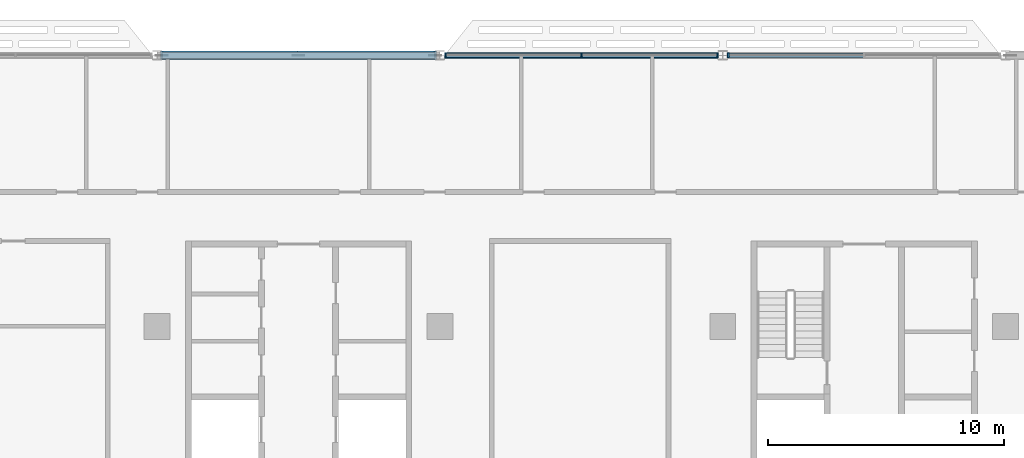
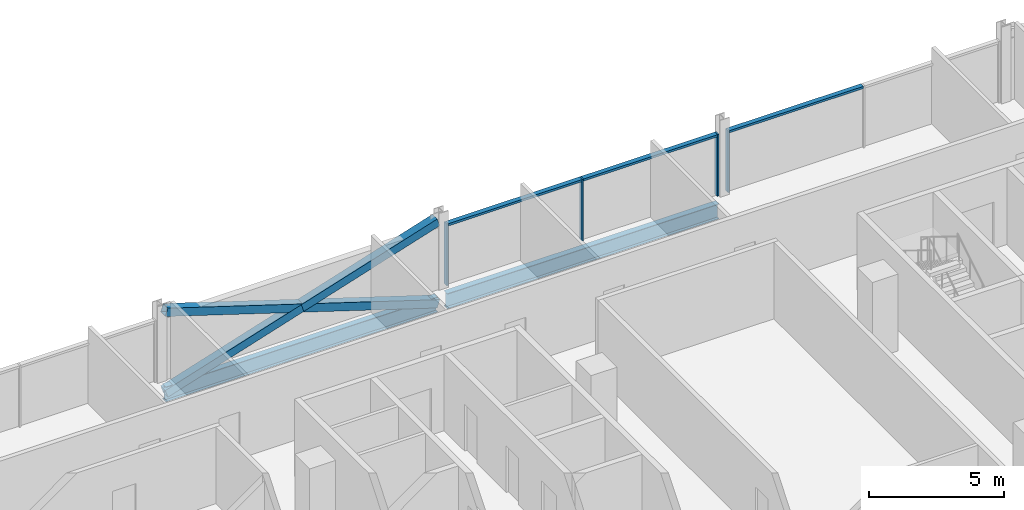
# One storey, part 8 of 30: 10 members, 2 beams, 2 elements without a shape of their own.
"""IFC4 building model written with IfcOpenShell, lengths in metres."""

from ifc_helpers import new_model, si_unit, direction, frame, origin, origin_2d, place, context, subcontext, project, spatial, rectangle, hollow_rectangle, i_section, extrude, material, material_profile, profile_set, type_object, element, aggregate, save


model = new_model("IFC4")

# Units and contexts
model_context = context("Model", 3, precision=1e-05, world=origin(), true_north=direction((0.0, 1.0)))
body_context = subcontext(model_context, "Body", "Model", "MODEL_VIEW")
ifc_project = project(units=[si_unit("LENGTHUNIT", "METRE"), si_unit("AREAUNIT", "SQUARE_METRE"), si_unit("VOLUMEUNIT", "CUBIC_METRE"), si_unit("PLANEANGLEUNIT", "RADIAN"), si_unit("MASSUNIT", "GRAM", prefix="KILO")], contexts=[model_context])

# Site, building, storey
site_placement = place(None, origin())
site = spatial("IfcSite", under=ifc_project, at=site_placement, CompositionType="ELEMENT")
building_placement = place(site_placement, origin())
building = spatial("IfcBuilding", under=site, at=building_placement, Name="Mahtab Terrace Research Tower", CompositionType="ELEMENT")
storey_placement = place(building_placement, frame((0.0, 0.0, 205.300048828125)))
storey = spatial("IfcBuildingStorey", under=building, at=storey_placement, Name="L49", CompositionType="ELEMENT", Elevation=205.300048828125)

# Members
ifc_material_1 = material(Name="Steel ASTM A500 Gr C", Category="steel")
ifc_material_profile_1 = material_profile(ifc_material_1, hollow_rectangle(XDim=0.355712890625, YDim=0.355712890625, WallThickness=0.015869140625, at=origin_2d()), Name="HSS14X14X5/8")
ifc_profile_set_1 = profile_set([ifc_material_profile_1], Name="Steel ASTM A500 Gr C")
member_type_1 = type_object("IfcMemberType", Name="HSS 14x14x5/8 brace XB141458", PredefinedType="BRACE", material=ifc_profile_set_1)
member_1_placement = place(storey_placement, frame((5.79931640625, 23.0, -0.61572265625), z_axis=(-0.953337604941, 0.0, 0.301906295073), x_axis=(0.0, -1.0, 0.0)))
element("IfcMember", 1, at=member_1_placement, inside=storey, type_object=member_type_1, Name="Exoskeleton brace L49 05 a", PredefinedType="BRACE", context=body_context, shape_type="SweptSolid", body=[
    extrude(hollow_rectangle(XDim=0.355712890625, YDim=0.355712890625, WallThickness=0.015869140625, at=origin_2d()), origin(), (0.0, 0.0, 1.0), 12.166259765625),
])
for number, where, z_axis, x_axis, name in (
    (2, (-5.79931640625, 23.0, -0.61572265625), (0.953331829178, 0.0, 0.301924532749), (0.0, 1.0, 0.0), "Exoskeleton brace L49 05 b1"),
    (3, (0.0, 23.0, 1.220947265625), (0.953343380425, 0.0, 0.301888057067), (0.0, 1.0, 0.0), "Exoskeleton brace L49 05 b2"),
):
    element("IfcMember", number, at=place(storey_placement, frame(where, z_axis=z_axis, x_axis=x_axis)), inside=storey, type_object=member_type_1, Name=name, PredefinedType="BRACE", context=body_context, shape_type="SweptSolid", body=[
        extrude(hollow_rectangle(XDim=0.355712890625, YDim=0.355712890625, WallThickness=0.015869140625, at=origin_2d()), origin(), (0.0, 0.0, 1.0), 6.083251953125),
    ])

# Curtain wall, member
ifc_material_2 = material(Name="Laboratory ribbon curtain wall")
curtain_wall_type = type_object("IfcCurtainWallType", Name="Laboratory ribbon curtain wall", PredefinedType="NOTDEFINED", material=ifc_material_2)
curtain_wall_1_placement = place(storey_placement, origin())
curtain_wall_1 = element("IfcCurtainWall", 4, at=curtain_wall_1_placement, inside=storey, type_object=curtain_wall_type, Name="EN.L49.3.5", PredefinedType="NOTDEFINED")
ifc_material_3 = material(Name="Natural anodised aluminium", Category="aluminium")
ifc_material_profile_2 = material_profile(ifc_material_3, rectangle(XDim=0.199951171875, YDim=0.06494140625, at=origin_2d()), Name="MULLION 65x200")
ifc_profile_set_2 = profile_set([ifc_material_profile_2], Name="Natural anodised aluminium")
member_type_2 = type_object("IfcMemberType", Name="Laboratory ribbon curtain wall mullion", PredefinedType="MULLION", material=ifc_profile_set_2)
member_2_placement = place(storey_placement, frame((18.232421875, 23.0, 0.0), z_axis=(0.0, 0.0, 1.0), x_axis=(0.0, -1.0, 0.0)))
member_2 = element("IfcMember", 5, at=member_2_placement, type_object=member_type_2, Name="CWL-6 mullion 3", PredefinedType="MULLION", context=body_context, shape_type="SweptSolid", body=[
    extrude(rectangle(XDim=0.199951171875, YDim=0.06494140625, at=origin_2d()), origin(), (0.0, 0.0, 1.0), 2.78173828125),
])

# Curtain wall, members
curtain_wall_2_placement = place(storey_placement, origin())
curtain_wall_2 = element("IfcCurtainWall", 6, at=curtain_wall_2_placement, inside=storey, type_object=curtain_wall_type, Name="EN.L49.3.6", PredefinedType="NOTDEFINED")
member_3_placement = place(storey_placement, frame((17.767578125, 23.0, 0.0), z_axis=(0.0, 0.0, 1.0), x_axis=(0.0, -1.0, 0.0)))
member_3 = element("IfcMember", 7, at=member_3_placement, type_object=member_type_2, Name="CWL-6 mullion 1", PredefinedType="MULLION", context=body_context, shape_type="SweptSolid", body=[
    extrude(rectangle(XDim=0.199951171875, YDim=0.06494140625, at=origin_2d()), origin(), (0.0, 0.0, 1.0), 2.78173828125),
])
member_4_placement = place(storey_placement, frame((12.0, 23.0, 0.0), z_axis=(0.0, 0.0, 1.0), x_axis=(0.0, -1.0, 0.0)))
member_4 = element("IfcMember", 8, at=member_4_placement, type_object=member_type_2, Name="CWL-6 mullion 2", PredefinedType="MULLION", context=body_context, shape_type="SweptSolid", body=[
    extrude(rectangle(XDim=0.199951171875, YDim=0.06494140625, at=origin_2d()), origin(), (0.0, 0.0, 1.0), 2.78173828125),
])
member_5_placement = place(storey_placement, frame((6.232421875, 23.0, 0.0), z_axis=(0.0, 0.0, 1.0), x_axis=(0.0, -1.0, 0.0)))
member_5 = element("IfcMember", 9, at=member_5_placement, type_object=member_type_2, Name="CWL-6 mullion 3", PredefinedType="MULLION", context=body_context, shape_type="SweptSolid", body=[
    extrude(rectangle(XDim=0.199951171875, YDim=0.06494140625, at=origin_2d()), origin(), (0.0, 0.0, 1.0), 2.78173828125),
])

# Member
ifc_material_profile_3 = material_profile(ifc_material_3, rectangle(XDim=0.199951171875, YDim=0.10009765625, at=origin_2d()), Name="TRANSOM 100x200")
ifc_profile_set_3 = profile_set([ifc_material_profile_3], Name="Natural anodised aluminium")
member_type_3 = type_object("IfcMemberType", Name="Laboratory ribbon curtain wall transom", PredefinedType="USERDEFINED", material=ifc_profile_set_3)
member_6_placement = place(storey_placement, frame((23.967529296875, 23.0, 2.731689453125), z_axis=(-1.0, 0.0, 0.0), x_axis=(0.0, -1.0, 0.0)))
member_6 = element("IfcMember", 10, at=member_6_placement, type_object=member_type_3, Name="CWL-6 transom 2", ObjectType="TRANSOM", PredefinedType="USERDEFINED", context=body_context, shape_type="SweptSolid", body=[
    extrude(rectangle(XDim=0.199951171875, YDim=0.10009765625, at=origin_2d()), origin(), (0.0, 0.0, 1.0), 5.70263671875),
])

aggregate(curtain_wall_1, [member_2, member_6])

member_7_placement = place(storey_placement, frame((17.735107421875, 23.0, 2.731689453125), z_axis=(-1.0, 0.0, 0.0), x_axis=(0.0, -1.0, 0.0)))
member_7 = element("IfcMember", 11, at=member_7_placement, type_object=member_type_3, Name="CWL-6 transom 1", ObjectType="TRANSOM", PredefinedType="USERDEFINED", context=body_context, shape_type="SweptSolid", body=[
    extrude(rectangle(XDim=0.199951171875, YDim=0.10009765625, at=origin_2d()), origin(), (0.0, 0.0, 1.0), 5.70263671875),
])

member_8_placement = place(storey_placement, frame((11.967529296875, 23.0, 2.731689453125), z_axis=(-1.0, 0.0, 0.0), x_axis=(0.0, -1.0, 0.0)))
member_8 = element("IfcMember", 12, at=member_8_placement, type_object=member_type_3, Name="CWL-6 transom 2", ObjectType="TRANSOM", PredefinedType="USERDEFINED", context=body_context, shape_type="SweptSolid", body=[
    extrude(rectangle(XDim=0.199951171875, YDim=0.10009765625, at=origin_2d()), origin(), (0.0, 0.0, 1.0), 5.70263671875),
])

aggregate(curtain_wall_2, [member_3, member_4, member_5, member_7, member_8])

# Beams
ifc_material_4 = material(Name="Steel ASTM A992 Gr 50", Category="steel")
ifc_material_profile_4 = material_profile(ifc_material_4, i_section(OverallWidth=0.25390625, OverallDepth=0.67822265625, WebThickness=0.01171875, FlangeThickness=0.016357421875, at=origin_2d()), Name="W27X84")
ifc_profile_set_4 = profile_set([ifc_material_profile_4], Name="Steel ASTM A992 Gr 50")
beam_type = type_object("IfcBeamType", Name="W27x84 beam BS2784", PredefinedType="BEAM", material=ifc_profile_set_4)
for number, where, z_axis, x_axis, name in (
    (13, (17.79931640625, 23.0, -0.67919921875), (-1.0, 0.0, 0.0), (0.0, -1.0, 0.0), "Spandrel beam L49 04"),
    (14, (5.79931640625, 23.0, -0.67919921875), (-1.0, 0.0, 0.0), (0.0, -1.0, 0.0), "Spandrel beam L49 05"),
):
    element("IfcBeam", number, at=place(storey_placement, frame(where, z_axis=z_axis, x_axis=x_axis)), inside=storey, type_object=beam_type, Name=name, PredefinedType="BEAM", context=body_context, shape_type="SweptSolid", body=[
        extrude(i_section(OverallWidth=0.25390625, OverallDepth=0.67822265625, WebThickness=0.01171875, FlangeThickness=0.016357421875, at=origin_2d()), origin(), (0.0, 0.0, 1.0), 11.5986328125),
    ])

save(model, "model.ifc")
